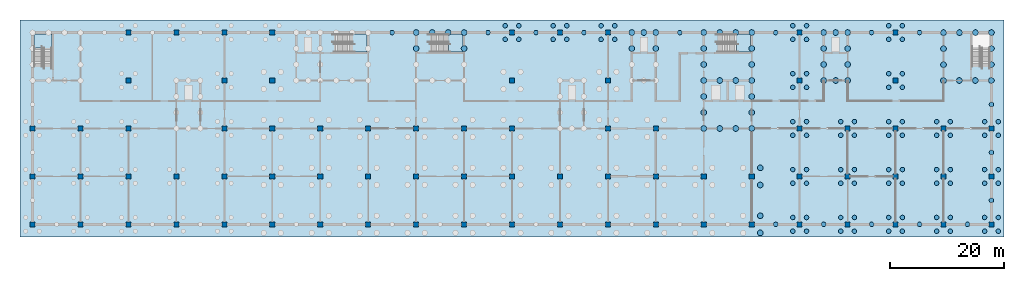
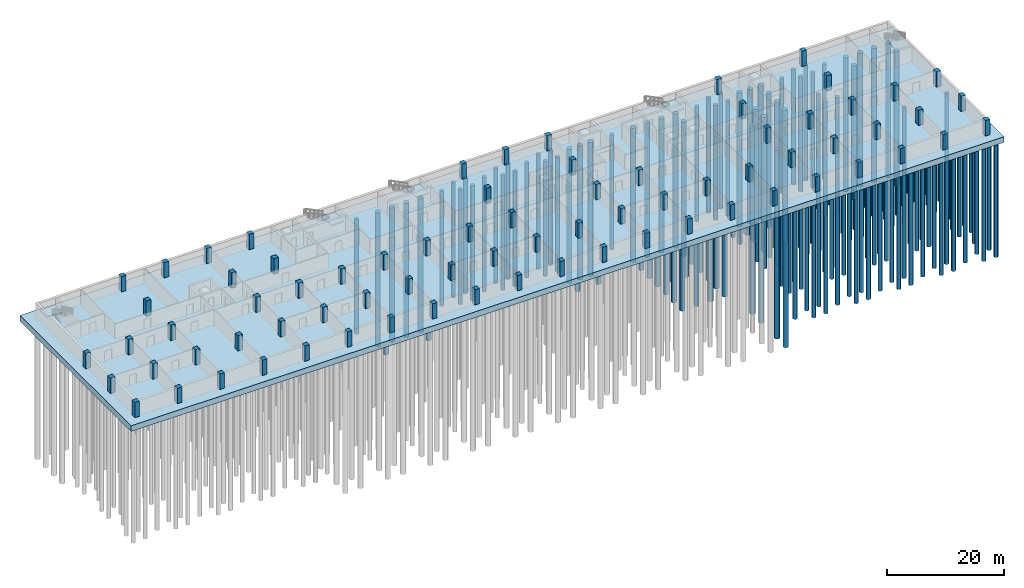
# One storey, part 2 of 11: 161 piles, 75 columns, 5 slabs, 4 elements without a shape of their own.
"""IFC4 building model written with IfcOpenShell, lengths in metres."""

from ifc_helpers import new_model, si_unit, direction, frame, origin, origin_2d, place, context, subcontext, project, spatial, polyline, rectangle, circle, outline, extrude, material, layer, layer_set, material_profile, profile_set, type_object, element, aggregate, save


model = new_model("IFC4")

# Units and contexts
model_context = context("Model", 3, precision=1e-05, world=origin(), true_north=direction((0.0, 1.0)))
body_context = subcontext(model_context, "Body", "Model", "MODEL_VIEW")
ifc_project = project(units=[si_unit("LENGTHUNIT", "METRE"), si_unit("AREAUNIT", "SQUARE_METRE"), si_unit("VOLUMEUNIT", "CUBIC_METRE"), si_unit("PLANEANGLEUNIT", "RADIAN"), si_unit("MASSUNIT", "GRAM", prefix="KILO")], contexts=[model_context])

# Site, building, storey
site_placement = place(None, origin())
site = spatial("IfcSite", under=ifc_project, at=site_placement, CompositionType="ELEMENT")
building_placement = place(site_placement, origin())
building = spatial("IfcBuilding", under=site, at=building_placement, Name="Yavir Park General Hospital", CompositionType="ELEMENT")
storey_placement = place(building_placement, frame((0.0, 0.0, -15.0)))
storey = spatial("IfcBuildingStorey", under=building, at=storey_placement, Name="B4", CompositionType="ELEMENT", Elevation=-15.0)

# Piles
ifc_material_1 = material(Name="Concrete C35/45", Category="concrete")
ifc_material_profile_1 = material_profile(ifc_material_1, circle(Radius=0.5, at=origin_2d()), Name="D1000")
ifc_profile_set_1 = profile_set([ifc_material_profile_1], Name="Concrete C35/45")
pile_type_1 = type_object("IfcPileType", Name="BORED PILE D1000", PredefinedType="BORED", material=ifc_profile_set_1)
for number, where, z_axis, x_axis, name in (
    (1, (127.5, -1.5, -1.2001953125), (0.0, 0.0, -1.0), (1.0, 0.0, 0.0), "P:B4:021"),
    (2, (127.5, 1.5, -1.2001953125), (0.0, 0.0, -1.0), (1.0, 0.0, 0.0), "P:B4:103"),
    (3, (127.5, 6.89990234375, -1.2001953125), (0.0, 0.0, -1.0), (1.0, 0.0, 0.0), "P:B4:127"),
    (4, (127.5, 9.89990234375, -1.2001953125), (0.0, 0.0, -1.0), (1.0, 0.0, 0.0), "P:B4:189"),
    (5, (117.60009765625, 16.800048828125, -1.2001953125), (0.0, 0.0, -1.0), (1.0, 0.0, 0.0), "P:B4:232"),
    (6, (120.39990234375, 16.800048828125, -1.2001953125), (0.0, 0.0, -1.0), (1.0, 0.0, 0.0), "P:B4:233"),
    (7, (123.199951171875, 16.800048828125, -1.2001953125), (0.0, 0.0, -1.0), (1.0, 0.0, 0.0), "P:B4:234"),
    (8, (126.0, 16.800048828125, -1.2001953125), (0.0, 0.0, -1.0), (1.0, 0.0, 0.0), "P:B4:235"),
    (9, (117.60009765625, 19.60009765625, -1.2001953125), (0.0, 0.0, -1.0), (1.0, 0.0, 0.0), "P:B4:274"),
    (10, (126.0, 19.60009765625, -1.2001953125), (0.0, 0.0, -1.0), (1.0, 0.0, 0.0), "P:B4:275"),
    (11, (117.60009765625, 22.39990234375, -1.2001953125), (0.0, 0.0, -1.0), (1.0, 0.0, 0.0), "P:B4:282"),
    (12, (126.0, 22.39990234375, -1.2001953125), (0.0, 0.0, -1.0), (1.0, 0.0, 0.0), "P:B4:283"),
    (13, (117.60009765625, 25.199951171875, -1.2001953125), (0.0, 0.0, -1.0), (1.0, 0.0, 0.0), "P:B4:321"),
    (14, (120.39990234375, 25.199951171875, -1.2001953125), (0.0, 0.0, -1.0), (1.0, 0.0, 0.0), "P:B4:322"),
    (15, (123.199951171875, 25.199951171875, -1.2001953125), (0.0, 0.0, -1.0), (1.0, 0.0, 0.0), "P:B4:323"),
    (16, (126.0, 25.199951171875, -1.2001953125), (0.0, 0.0, -1.0), (1.0, 0.0, 0.0), "P:B4:324"),
    (17, (138.60009765625, 25.199951171875, -1.2001953125), (0.0, 0.0, -1.0), (1.0, 0.0, 0.0), "P:B4:325"),
    (18, (140.699951171875, 25.199951171875, -1.2001953125), (0.0, 0.0, -1.0), (1.0, 0.0, 0.0), "P:B4:326"),
    (19, (142.800048828125, 25.199951171875, -1.2001953125), (0.0, 0.0, -1.0), (1.0, 0.0, 0.0), "P:B4:327"),
    (20, (159.60009765625, 25.199951171875, -1.2001953125), (0.0, 0.0, -1.0), (1.0, 0.0, 0.0), "P:B4:328"),
    (21, (162.39990234375, 25.199951171875, -1.2001953125), (0.0, 0.0, -1.0), (1.0, 0.0, 0.0), "P:B4:329"),
    (22, (165.199951171875, 25.199951171875, -1.2001953125), (0.0, 0.0, -1.0), (1.0, 0.0, 0.0), "P:B4:330"),
    (23, (168.0, 25.199951171875, -1.2001953125), (0.0, 0.0, -1.0), (1.0, 0.0, 0.0), "P:B4:331"),
    (24, (117.60009765625, 28.0, -1.2001953125), (0.0, 0.0, -1.0), (1.0, 0.0, 0.0), "P:B4:355"),
    (25, (126.0, 28.0, -1.2001953125), (0.0, 0.0, -1.0), (1.0, 0.0, 0.0), "P:B4:356"),
    (26, (138.60009765625, 28.0, -1.2001953125), (0.0, 0.0, -1.0), (1.0, 0.0, 0.0), "P:B4:357"),
    (27, (142.800048828125, 28.0, -1.2001953125), (0.0, 0.0, -1.0), (1.0, 0.0, 0.0), "P:B4:358"),
    (28, (159.60009765625, 28.0, -1.2001953125), (0.0, 0.0, -1.0), (1.0, 0.0, 0.0), "P:B4:359"),
    (29, (168.0, 28.0, -1.2001953125), (0.0, 0.0, -1.0), (1.0, 0.0, 0.0), "P:B4:360"),
    (30, (67.199951171875, 30.800048828125, -1.2001953125), (0.0, 0.0, -1.0), (1.0, 0.0, 0.0), "P:B4:366"),
    (31, (75.60009765625, 30.800048828125, -1.2001953125), (0.0, 0.0, -1.0), (1.0, 0.0, 0.0), "P:B4:367"),
    (32, (105.0, 30.800048828125, -1.2001953125), (0.0, 0.0, -1.0), (1.0, 0.0, 0.0), "P:B4:368"),
    (33, (109.199951171875, 30.800048828125, -1.2001953125), (0.0, 0.0, -1.0), (1.0, 0.0, 0.0), "P:B4:369"),
    (34, (117.60009765625, 30.800048828125, -1.2001953125), (0.0, 0.0, -1.0), (1.0, 0.0, 0.0), "P:B4:370"),
    (35, (126.0, 30.800048828125, -1.2001953125), (0.0, 0.0, -1.0), (1.0, 0.0, 0.0), "P:B4:371"),
    (36, (138.60009765625, 30.800048828125, -1.2001953125), (0.0, 0.0, -1.0), (1.0, 0.0, 0.0), "P:B4:372"),
    (37, (142.800048828125, 30.800048828125, -1.2001953125), (0.0, 0.0, -1.0), (1.0, 0.0, 0.0), "P:B4:373"),
    (38, (159.60009765625, 30.800048828125, -1.2001953125), (0.0, 0.0, -1.0), (1.0, 0.0, 0.0), "P:B4:374"),
    (39, (168.0, 30.800048828125, -1.2001953125), (0.0, 0.0, -1.0), (1.0, 0.0, 0.0), "P:B4:375"),
    (40, (67.199951171875, 33.60009765625, -1.2001953125), (0.0, 0.0, -1.0), (1.0, 0.0, 0.0), "P:B4:409"),
    (41, (70.0, 33.60009765625, -1.2001953125), (0.0, 0.0, -1.0), (1.0, 0.0, 0.0), "P:B4:410"),
    (42, (72.800048828125, 33.60009765625, -1.2001953125), (0.0, 0.0, -1.0), (1.0, 0.0, 0.0), "P:B4:411"),
    (43, (75.60009765625, 33.60009765625, -1.2001953125), (0.0, 0.0, -1.0), (1.0, 0.0, 0.0), "P:B4:412"),
    (44, (105.0, 33.60009765625, -1.2001953125), (0.0, 0.0, -1.0), (1.0, 0.0, 0.0), "P:B4:416"),
    (45, (107.10009765625, 33.60009765625, -1.2001953125), (0.0, 0.0, -1.0), (1.0, 0.0, 0.0), "P:B4:417"),
    (46, (109.199951171875, 33.60009765625, -1.2001953125), (0.0, 0.0, -1.0), (1.0, 0.0, 0.0), "P:B4:418"),
    (47, (117.60009765625, 33.60009765625, -1.2001953125), (0.0, 0.0, -1.0), (1.0, 0.0, 0.0), "P:B4:420"),
    (48, (120.39990234375, 33.60009765625, -1.2001953125), (0.0, 0.0, -1.0), (1.0, 0.0, 0.0), "P:B4:421"),
    (49, (123.199951171875, 33.60009765625, -1.2001953125), (0.0, 0.0, -1.0), (1.0, 0.0, 0.0), "P:B4:422"),
    (50, (126.0, 33.60009765625, -1.2001953125), (0.0, 0.0, -1.0), (1.0, 0.0, 0.0), "P:B4:423"),
    (51, (138.60009765625, 33.60009765625, -1.2001953125), (0.0, 0.0, -1.0), (1.0, 0.0, 0.0), "P:B4:425"),
    (52, (140.699951171875, 33.60009765625, -1.2001953125), (0.0, 0.0, -1.0), (1.0, 0.0, 0.0), "P:B4:426"),
    (53, (142.800048828125, 33.60009765625, -1.2001953125), (0.0, 0.0, -1.0), (1.0, 0.0, 0.0), "P:B4:427"),
    (54, (159.60009765625, 33.60009765625, -1.2001953125), (0.0, 0.0, -1.0), (1.0, 0.0, 0.0), "P:B4:430"),
    (55, (162.39990234375, 33.60009765625, -1.2001953125), (0.0, 0.0, -1.0), (1.0, 0.0, 0.0), "P:B4:431"),
    (56, (165.199951171875, 33.60009765625, -1.2001953125), (0.0, 0.0, -1.0), (1.0, 0.0, 0.0), "P:B4:432"),
    (57, (168.0, 33.60009765625, -1.2001953125), (0.0, 0.0, -1.0), (1.0, 0.0, 0.0), "P:B4:433"),
):
    element("IfcPile", number, at=place(storey_placement, frame(where, z_axis=z_axis, x_axis=x_axis)), inside=storey, type_object=pile_type_1, Name=name, PredefinedType="BORED", context=body_context, shape_type="SweptSolid", body=[
        extrude(circle(Radius=0.5, at=origin_2d()), origin(), (0.0, 0.0, 1.0), 28.0),
    ])
ifc_material_2 = material(Name="Concrete C35/45", Category="concrete")
ifc_material_profile_2 = material_profile(ifc_material_2, circle(Radius=0.39990234375, at=origin_2d()), Name="D800")
ifc_profile_set_2 = profile_set([ifc_material_profile_2], Name="Concrete C35/45")
pile_type_2 = type_object("IfcPileType", Name="BORED PILE D800", PredefinedType="BORED", material=ifc_profile_set_2)
for number, where, z_axis, x_axis, name in (
    (58, (133.199951171875, -1.199951171875, -1.2001953125), (0.0, 0.0, -1.0), (1.0, 0.0, 0.0), "P:B4:032"),
    (59, (135.60009765625, -1.199951171875, -1.2001953125), (0.0, 0.0, -1.0), (1.0, 0.0, 0.0), "P:B4:033"),
    (60, (141.60009765625, -1.199951171875, -1.2001953125), (0.0, 0.0, -1.0), (1.0, 0.0, 0.0), "P:B4:034"),
    (61, (144.0, -1.199951171875, -1.2001953125), (0.0, 0.0, -1.0), (1.0, 0.0, 0.0), "P:B4:035"),
    (62, (150.0, -1.199951171875, -1.2001953125), (0.0, 0.0, -1.0), (1.0, 0.0, 0.0), "P:B4:036"),
    (63, (152.39990234375, -1.199951171875, -1.2001953125), (0.0, 0.0, -1.0), (1.0, 0.0, 0.0), "P:B4:037"),
    (64, (158.39990234375, -1.199951171875, -1.2001953125), (0.0, 0.0, -1.0), (1.0, 0.0, 0.0), "P:B4:038"),
    (65, (160.800048828125, -1.199951171875, -1.2001953125), (0.0, 0.0, -1.0), (1.0, 0.0, 0.0), "P:B4:039"),
    (66, (166.800048828125, -1.199951171875, -1.2001953125), (0.0, 0.0, -1.0), (1.0, 0.0, 0.0), "P:B4:040"),
    (67, (169.199951171875, -1.199951171875, -1.2001953125), (0.0, 0.0, -1.0), (1.0, 0.0, 0.0), "P:B4:041"),
    (68, (130.199951171875, 0.0, -1.2001953125), (0.0, 0.0, -1.0), (1.0, 0.0, 0.0), "P:B4:057"),
    (69, (138.60009765625, 0.0, -1.2001953125), (0.0, 0.0, -1.0), (1.0, 0.0, 0.0), "P:B4:058"),
    (70, (147.0, 0.0, -1.2001953125), (0.0, 0.0, -1.0), (1.0, 0.0, 0.0), "P:B4:059"),
    (71, (155.39990234375, 0.0, -1.2001953125), (0.0, 0.0, -1.0), (1.0, 0.0, 0.0), "P:B4:060"),
    (72, (163.800048828125, 0.0, -1.2001953125), (0.0, 0.0, -1.0), (1.0, 0.0, 0.0), "P:B4:061"),
    (73, (133.199951171875, 1.199951171875, -1.2001953125), (0.0, 0.0, -1.0), (1.0, 0.0, 0.0), "P:B4:072"),
    (74, (135.60009765625, 1.199951171875, -1.2001953125), (0.0, 0.0, -1.0), (1.0, 0.0, 0.0), "P:B4:073"),
    (75, (141.60009765625, 1.199951171875, -1.2001953125), (0.0, 0.0, -1.0), (1.0, 0.0, 0.0), "P:B4:074"),
    (76, (144.0, 1.199951171875, -1.2001953125), (0.0, 0.0, -1.0), (1.0, 0.0, 0.0), "P:B4:075"),
    (77, (150.0, 1.199951171875, -1.2001953125), (0.0, 0.0, -1.0), (1.0, 0.0, 0.0), "P:B4:076"),
    (78, (152.39990234375, 1.199951171875, -1.2001953125), (0.0, 0.0, -1.0), (1.0, 0.0, 0.0), "P:B4:077"),
    (79, (158.39990234375, 1.199951171875, -1.2001953125), (0.0, 0.0, -1.0), (1.0, 0.0, 0.0), "P:B4:078"),
    (80, (160.800048828125, 1.199951171875, -1.2001953125), (0.0, 0.0, -1.0), (1.0, 0.0, 0.0), "P:B4:079"),
    (81, (166.800048828125, 1.199951171875, -1.2001953125), (0.0, 0.0, -1.0), (1.0, 0.0, 0.0), "P:B4:080"),
    (82, (169.199951171875, 1.199951171875, -1.2001953125), (0.0, 0.0, -1.0), (1.0, 0.0, 0.0), "P:B4:081"),
    (83, (168.0, 4.199951171875, -1.2001953125), (0.0, 0.0, -1.0), (1.0, 0.0, 0.0), "P:B4:105"),
    (84, (133.199951171875, 7.199951171875, -1.2001953125), (0.0, 0.0, -1.0), (1.0, 0.0, 0.0), "P:B4:138"),
    (85, (135.60009765625, 7.199951171875, -1.2001953125), (0.0, 0.0, -1.0), (1.0, 0.0, 0.0), "P:B4:139"),
    (86, (141.60009765625, 7.199951171875, -1.2001953125), (0.0, 0.0, -1.0), (1.0, 0.0, 0.0), "P:B4:140"),
    (87, (144.0, 7.199951171875, -1.2001953125), (0.0, 0.0, -1.0), (1.0, 0.0, 0.0), "P:B4:141"),
    (88, (150.0, 7.199951171875, -1.2001953125), (0.0, 0.0, -1.0), (1.0, 0.0, 0.0), "P:B4:142"),
    (89, (152.39990234375, 7.199951171875, -1.2001953125), (0.0, 0.0, -1.0), (1.0, 0.0, 0.0), "P:B4:143"),
    (90, (158.39990234375, 7.199951171875, -1.2001953125), (0.0, 0.0, -1.0), (1.0, 0.0, 0.0), "P:B4:144"),
    (91, (160.800048828125, 7.199951171875, -1.2001953125), (0.0, 0.0, -1.0), (1.0, 0.0, 0.0), "P:B4:145"),
    (92, (166.800048828125, 7.199951171875, -1.2001953125), (0.0, 0.0, -1.0), (1.0, 0.0, 0.0), "P:B4:146"),
    (93, (169.199951171875, 7.199951171875, -1.2001953125), (0.0, 0.0, -1.0), (1.0, 0.0, 0.0), "P:B4:147"),
    (94, (133.199951171875, 9.60009765625, -1.2001953125), (0.0, 0.0, -1.0), (1.0, 0.0, 0.0), "P:B4:158"),
    (95, (135.60009765625, 9.60009765625, -1.2001953125), (0.0, 0.0, -1.0), (1.0, 0.0, 0.0), "P:B4:159"),
    (96, (141.60009765625, 9.60009765625, -1.2001953125), (0.0, 0.0, -1.0), (1.0, 0.0, 0.0), "P:B4:160"),
    (97, (144.0, 9.60009765625, -1.2001953125), (0.0, 0.0, -1.0), (1.0, 0.0, 0.0), "P:B4:161"),
    (98, (150.0, 9.60009765625, -1.2001953125), (0.0, 0.0, -1.0), (1.0, 0.0, 0.0), "P:B4:162"),
    (99, (152.39990234375, 9.60009765625, -1.2001953125), (0.0, 0.0, -1.0), (1.0, 0.0, 0.0), "P:B4:163"),
    (100, (158.39990234375, 9.60009765625, -1.2001953125), (0.0, 0.0, -1.0), (1.0, 0.0, 0.0), "P:B4:164"),
    (101, (160.800048828125, 9.60009765625, -1.2001953125), (0.0, 0.0, -1.0), (1.0, 0.0, 0.0), "P:B4:165"),
    (102, (166.800048828125, 9.60009765625, -1.2001953125), (0.0, 0.0, -1.0), (1.0, 0.0, 0.0), "P:B4:166"),
    (103, (169.199951171875, 9.60009765625, -1.2001953125), (0.0, 0.0, -1.0), (1.0, 0.0, 0.0), "P:B4:167"),
    (104, (168.0, 12.60009765625, -1.2001953125), (0.0, 0.0, -1.0), (1.0, 0.0, 0.0), "P:B4:191"),
    (105, (133.199951171875, 15.60009765625, -1.2001953125), (0.0, 0.0, -1.0), (1.0, 0.0, 0.0), "P:B4:216"),
    (106, (135.60009765625, 15.60009765625, -1.2001953125), (0.0, 0.0, -1.0), (1.0, 0.0, 0.0), "P:B4:217"),
    (107, (141.60009765625, 15.60009765625, -1.2001953125), (0.0, 0.0, -1.0), (1.0, 0.0, 0.0), "P:B4:218"),
    (108, (144.0, 15.60009765625, -1.2001953125), (0.0, 0.0, -1.0), (1.0, 0.0, 0.0), "P:B4:219"),
    (109, (150.0, 15.60009765625, -1.2001953125), (0.0, 0.0, -1.0), (1.0, 0.0, 0.0), "P:B4:220"),
    (110, (152.39990234375, 15.60009765625, -1.2001953125), (0.0, 0.0, -1.0), (1.0, 0.0, 0.0), "P:B4:221"),
    (111, (158.39990234375, 15.60009765625, -1.2001953125), (0.0, 0.0, -1.0), (1.0, 0.0, 0.0), "P:B4:222"),
    (112, (160.800048828125, 15.60009765625, -1.2001953125), (0.0, 0.0, -1.0), (1.0, 0.0, 0.0), "P:B4:223"),
    (113, (166.800048828125, 15.60009765625, -1.2001953125), (0.0, 0.0, -1.0), (1.0, 0.0, 0.0), "P:B4:224"),
    (114, (169.199951171875, 15.60009765625, -1.2001953125), (0.0, 0.0, -1.0), (1.0, 0.0, 0.0), "P:B4:225"),
    (115, (133.199951171875, 18.0, -1.2001953125), (0.0, 0.0, -1.0), (1.0, 0.0, 0.0), "P:B4:244"),
    (116, (135.60009765625, 18.0, -1.2001953125), (0.0, 0.0, -1.0), (1.0, 0.0, 0.0), "P:B4:245"),
    (117, (141.60009765625, 18.0, -1.2001953125), (0.0, 0.0, -1.0), (1.0, 0.0, 0.0), "P:B4:246"),
    (118, (144.0, 18.0, -1.2001953125), (0.0, 0.0, -1.0), (1.0, 0.0, 0.0), "P:B4:247"),
    (119, (150.0, 18.0, -1.2001953125), (0.0, 0.0, -1.0), (1.0, 0.0, 0.0), "P:B4:248"),
    (120, (152.39990234375, 18.0, -1.2001953125), (0.0, 0.0, -1.0), (1.0, 0.0, 0.0), "P:B4:249"),
    (121, (158.39990234375, 18.0, -1.2001953125), (0.0, 0.0, -1.0), (1.0, 0.0, 0.0), "P:B4:250"),
    (122, (160.800048828125, 18.0, -1.2001953125), (0.0, 0.0, -1.0), (1.0, 0.0, 0.0), "P:B4:251"),
    (123, (166.800048828125, 18.0, -1.2001953125), (0.0, 0.0, -1.0), (1.0, 0.0, 0.0), "P:B4:252"),
    (124, (169.199951171875, 18.0, -1.2001953125), (0.0, 0.0, -1.0), (1.0, 0.0, 0.0), "P:B4:253"),
    (125, (168.0, 21.0, -1.2001953125), (0.0, 0.0, -1.0), (1.0, 0.0, 0.0), "P:B4:277"),
    (126, (133.199951171875, 24.0, -1.2001953125), (0.0, 0.0, -1.0), (1.0, 0.0, 0.0), "P:B4:294"),
    (127, (135.60009765625, 24.0, -1.2001953125), (0.0, 0.0, -1.0), (1.0, 0.0, 0.0), "P:B4:295"),
    (128, (150.0, 24.0, -1.2001953125), (0.0, 0.0, -1.0), (1.0, 0.0, 0.0), "P:B4:296"),
    (129, (152.39990234375, 24.0, -1.2001953125), (0.0, 0.0, -1.0), (1.0, 0.0, 0.0), "P:B4:297"),
    (130, (133.199951171875, 26.39990234375, -1.2001953125), (0.0, 0.0, -1.0), (1.0, 0.0, 0.0), "P:B4:336"),
    (131, (135.60009765625, 26.39990234375, -1.2001953125), (0.0, 0.0, -1.0), (1.0, 0.0, 0.0), "P:B4:337"),
    (132, (150.0, 26.39990234375, -1.2001953125), (0.0, 0.0, -1.0), (1.0, 0.0, 0.0), "P:B4:338"),
    (133, (152.39990234375, 26.39990234375, -1.2001953125), (0.0, 0.0, -1.0), (1.0, 0.0, 0.0), "P:B4:339"),
    (134, (82.800048828125, 32.39990234375, -1.2001953125), (0.0, 0.0, -1.0), (1.0, 0.0, 0.0), "P:B4:384"),
    (135, (85.199951171875, 32.39990234375, -1.2001953125), (0.0, 0.0, -1.0), (1.0, 0.0, 0.0), "P:B4:385"),
    (136, (91.199951171875, 32.39990234375, -1.2001953125), (0.0, 0.0, -1.0), (1.0, 0.0, 0.0), "P:B4:386"),
    (137, (93.60009765625, 32.39990234375, -1.2001953125), (0.0, 0.0, -1.0), (1.0, 0.0, 0.0), "P:B4:387"),
    (138, (99.60009765625, 32.39990234375, -1.2001953125), (0.0, 0.0, -1.0), (1.0, 0.0, 0.0), "P:B4:388"),
    (139, (102.0, 32.39990234375, -1.2001953125), (0.0, 0.0, -1.0), (1.0, 0.0, 0.0), "P:B4:389"),
    (140, (133.199951171875, 32.39990234375, -1.2001953125), (0.0, 0.0, -1.0), (1.0, 0.0, 0.0), "P:B4:390"),
    (141, (135.60009765625, 32.39990234375, -1.2001953125), (0.0, 0.0, -1.0), (1.0, 0.0, 0.0), "P:B4:391"),
    (142, (150.0, 32.39990234375, -1.2001953125), (0.0, 0.0, -1.0), (1.0, 0.0, 0.0), "P:B4:392"),
    (143, (152.39990234375, 32.39990234375, -1.2001953125), (0.0, 0.0, -1.0), (1.0, 0.0, 0.0), "P:B4:393"),
    (144, (63.0, 33.60009765625, -1.2001953125), (0.0, 0.0, -1.0), (1.0, 0.0, 0.0), "P:B4:408"),
    (145, (79.800048828125, 33.60009765625, -1.2001953125), (0.0, 0.0, -1.0), (1.0, 0.0, 0.0), "P:B4:413"),
    (146, (88.199951171875, 33.60009765625, -1.2001953125), (0.0, 0.0, -1.0), (1.0, 0.0, 0.0), "P:B4:414"),
    (147, (96.60009765625, 33.60009765625, -1.2001953125), (0.0, 0.0, -1.0), (1.0, 0.0, 0.0), "P:B4:415"),
    (148, (113.39990234375, 33.60009765625, -1.2001953125), (0.0, 0.0, -1.0), (1.0, 0.0, 0.0), "P:B4:419"),
    (149, (130.199951171875, 33.60009765625, -1.2001953125), (0.0, 0.0, -1.0), (1.0, 0.0, 0.0), "P:B4:424"),
    (150, (147.0, 33.60009765625, -1.2001953125), (0.0, 0.0, -1.0), (1.0, 0.0, 0.0), "P:B4:428"),
    (151, (155.39990234375, 33.60009765625, -1.2001953125), (0.0, 0.0, -1.0), (1.0, 0.0, 0.0), "P:B4:429"),
    (152, (82.800048828125, 34.800048828125, -1.2001953125), (0.0, 0.0, -1.0), (1.0, 0.0, 0.0), "P:B4:442"),
    (153, (85.199951171875, 34.800048828125, -1.2001953125), (0.0, 0.0, -1.0), (1.0, 0.0, 0.0), "P:B4:443"),
    (154, (91.199951171875, 34.800048828125, -1.2001953125), (0.0, 0.0, -1.0), (1.0, 0.0, 0.0), "P:B4:444"),
    (155, (93.60009765625, 34.800048828125, -1.2001953125), (0.0, 0.0, -1.0), (1.0, 0.0, 0.0), "P:B4:445"),
    (156, (99.60009765625, 34.800048828125, -1.2001953125), (0.0, 0.0, -1.0), (1.0, 0.0, 0.0), "P:B4:446"),
    (157, (102.0, 34.800048828125, -1.2001953125), (0.0, 0.0, -1.0), (1.0, 0.0, 0.0), "P:B4:447"),
    (158, (133.199951171875, 34.800048828125, -1.2001953125), (0.0, 0.0, -1.0), (1.0, 0.0, 0.0), "P:B4:448"),
    (159, (135.60009765625, 34.800048828125, -1.2001953125), (0.0, 0.0, -1.0), (1.0, 0.0, 0.0), "P:B4:449"),
    (160, (150.0, 34.800048828125, -1.2001953125), (0.0, 0.0, -1.0), (1.0, 0.0, 0.0), "P:B4:450"),
    (161, (152.39990234375, 34.800048828125, -1.2001953125), (0.0, 0.0, -1.0), (1.0, 0.0, 0.0), "P:B4:451"),
):
    element("IfcPile", number, at=place(storey_placement, frame(where, z_axis=z_axis, x_axis=x_axis)), inside=storey, type_object=pile_type_2, Name=name, PredefinedType="BORED", context=body_context, shape_type="SweptSolid", body=[
        extrude(circle(Radius=0.39990234375, at=origin_2d()), origin(), (0.0, 0.0, 1.0), 24.0),
    ])

# Columns
ifc_material_3 = material(Name="Concrete C40/50", Category="concrete")
ifc_material_profile_3 = material_profile(ifc_material_3, rectangle(XDim=0.89990234375, YDim=0.89990234375, at=origin_2d()), Name="RC900x900")
ifc_profile_set_3 = profile_set([ifc_material_profile_3], Name="Concrete C40/50")
column_type = type_object("IfcColumnType", Name="RC COLUMN 900x900", PredefinedType="COLUMN", material=ifc_profile_set_3)
for number, where, z_axis, x_axis, name in (
    (162, (0.0, 0.0, 0.0), (0.0, 0.0, 1.0), (1.0, 0.0, 0.0), "C:B4:1A"),
    (163, (8.39990234375, 0.0, 0.0), (0.0, 0.0, 1.0), (1.0, 0.0, 0.0), "C:B4:2A"),
    (164, (16.800048828125, 0.0, 0.0), (0.0, 0.0, 1.0), (1.0, 0.0, 0.0), "C:B4:3A"),
    (165, (25.199951171875, 0.0, 0.0), (0.0, 0.0, 1.0), (1.0, 0.0, 0.0), "C:B4:4A"),
    (166, (33.60009765625, 0.0, 0.0), (0.0, 0.0, 1.0), (1.0, 0.0, 0.0), "C:B4:5A"),
    (167, (42.0, 0.0, 0.0), (0.0, 0.0, 1.0), (1.0, 0.0, 0.0), "C:B4:6A"),
    (168, (50.39990234375, 0.0, 0.0), (0.0, 0.0, 1.0), (1.0, 0.0, 0.0), "C:B4:7A"),
    (169, (58.800048828125, 0.0, 0.0), (0.0, 0.0, 1.0), (1.0, 0.0, 0.0), "C:B4:8A"),
    (170, (67.199951171875, 0.0, 0.0), (0.0, 0.0, 1.0), (1.0, 0.0, 0.0), "C:B4:9A"),
    (171, (75.60009765625, 0.0, 0.0), (0.0, 0.0, 1.0), (1.0, 0.0, 0.0), "C:B4:10A"),
    (172, (84.0, 0.0, 0.0), (0.0, 0.0, 1.0), (1.0, 0.0, 0.0), "C:B4:11A"),
    (173, (92.39990234375, 0.0, 0.0), (0.0, 0.0, 1.0), (1.0, 0.0, 0.0), "C:B4:12A"),
    (174, (100.800048828125, 0.0, 0.0), (0.0, 0.0, 1.0), (1.0, 0.0, 0.0), "C:B4:13A"),
    (175, (109.199951171875, 0.0, 0.0), (0.0, 0.0, 1.0), (1.0, 0.0, 0.0), "C:B4:14A"),
    (176, (117.60009765625, 0.0, 0.0), (0.0, 0.0, 1.0), (1.0, 0.0, 0.0), "C:B4:15A"),
    (177, (126.0, 0.0, 0.0), (0.0, 0.0, 1.0), (1.0, 0.0, 0.0), "C:B4:16A"),
    (178, (134.39990234375, 0.0, 0.0), (0.0, 0.0, 1.0), (1.0, 0.0, 0.0), "C:B4:17A"),
    (179, (142.800048828125, 0.0, 0.0), (0.0, 0.0, 1.0), (1.0, 0.0, 0.0), "C:B4:18A"),
    (180, (151.199951171875, 0.0, 0.0), (0.0, 0.0, 1.0), (1.0, 0.0, 0.0), "C:B4:19A"),
    (181, (159.60009765625, 0.0, 0.0), (0.0, 0.0, 1.0), (1.0, 0.0, 0.0), "C:B4:20A"),
    (182, (168.0, 0.0, 0.0), (0.0, 0.0, 1.0), (1.0, 0.0, 0.0), "C:B4:21A"),
    (183, (0.0, 8.39990234375, 0.0), (0.0, 0.0, 1.0), (1.0, 0.0, 0.0), "C:B4:1B"),
    (184, (8.39990234375, 8.39990234375, 0.0), (0.0, 0.0, 1.0), (1.0, 0.0, 0.0), "C:B4:2B"),
    (185, (16.800048828125, 8.39990234375, 0.0), (0.0, 0.0, 1.0), (1.0, 0.0, 0.0), "C:B4:3B"),
    (186, (25.199951171875, 8.39990234375, 0.0), (0.0, 0.0, 1.0), (1.0, 0.0, 0.0), "C:B4:4B"),
    (187, (33.60009765625, 8.39990234375, 0.0), (0.0, 0.0, 1.0), (1.0, 0.0, 0.0), "C:B4:5B"),
    (188, (42.0, 8.39990234375, 0.0), (0.0, 0.0, 1.0), (1.0, 0.0, 0.0), "C:B4:6B"),
    (189, (50.39990234375, 8.39990234375, 0.0), (0.0, 0.0, 1.0), (1.0, 0.0, 0.0), "C:B4:7B"),
    (190, (58.800048828125, 8.39990234375, 0.0), (0.0, 0.0, 1.0), (1.0, 0.0, 0.0), "C:B4:8B"),
    (191, (67.199951171875, 8.39990234375, 0.0), (0.0, 0.0, 1.0), (1.0, 0.0, 0.0), "C:B4:9B"),
    (192, (75.60009765625, 8.39990234375, 0.0), (0.0, 0.0, 1.0), (1.0, 0.0, 0.0), "C:B4:10B"),
    (193, (84.0, 8.39990234375, 0.0), (0.0, 0.0, 1.0), (1.0, 0.0, 0.0), "C:B4:11B"),
    (194, (92.39990234375, 8.39990234375, 0.0), (0.0, 0.0, 1.0), (1.0, 0.0, 0.0), "C:B4:12B"),
    (195, (100.800048828125, 8.39990234375, 0.0), (0.0, 0.0, 1.0), (1.0, 0.0, 0.0), "C:B4:13B"),
    (196, (109.199951171875, 8.39990234375, 0.0), (0.0, 0.0, 1.0), (1.0, 0.0, 0.0), "C:B4:14B"),
    (197, (117.60009765625, 8.39990234375, 0.0), (0.0, 0.0, 1.0), (1.0, 0.0, 0.0), "C:B4:15B"),
    (198, (126.0, 8.39990234375, 0.0), (0.0, 0.0, 1.0), (1.0, 0.0, 0.0), "C:B4:16B"),
    (199, (134.39990234375, 8.39990234375, 0.0), (0.0, 0.0, 1.0), (1.0, 0.0, 0.0), "C:B4:17B"),
    (200, (142.800048828125, 8.39990234375, 0.0), (0.0, 0.0, 1.0), (1.0, 0.0, 0.0), "C:B4:18B"),
    (201, (151.199951171875, 8.39990234375, 0.0), (0.0, 0.0, 1.0), (1.0, 0.0, 0.0), "C:B4:19B"),
    (202, (159.60009765625, 8.39990234375, 0.0), (0.0, 0.0, 1.0), (1.0, 0.0, 0.0), "C:B4:20B"),
    (203, (168.0, 8.39990234375, 0.0), (0.0, 0.0, 1.0), (1.0, 0.0, 0.0), "C:B4:21B"),
    (204, (0.0, 16.800048828125, 0.0), (0.0, 0.0, 1.0), (1.0, 0.0, 0.0), "C:B4:1C"),
    (205, (8.39990234375, 16.800048828125, 0.0), (0.0, 0.0, 1.0), (1.0, 0.0, 0.0), "C:B4:2C"),
    (206, (16.800048828125, 16.800048828125, 0.0), (0.0, 0.0, 1.0), (1.0, 0.0, 0.0), "C:B4:3C"),
    (207, (33.60009765625, 16.800048828125, 0.0), (0.0, 0.0, 1.0), (1.0, 0.0, 0.0), "C:B4:5C"),
    (208, (42.0, 16.800048828125, 0.0), (0.0, 0.0, 1.0), (1.0, 0.0, 0.0), "C:B4:6C"),
    (209, (50.39990234375, 16.800048828125, 0.0), (0.0, 0.0, 1.0), (1.0, 0.0, 0.0), "C:B4:7C"),
    (210, (58.800048828125, 16.800048828125, 0.0), (0.0, 0.0, 1.0), (1.0, 0.0, 0.0), "C:B4:8C"),
    (211, (67.199951171875, 16.800048828125, 0.0), (0.0, 0.0, 1.0), (1.0, 0.0, 0.0), "C:B4:9C"),
    (212, (75.60009765625, 16.800048828125, 0.0), (0.0, 0.0, 1.0), (1.0, 0.0, 0.0), "C:B4:10C"),
    (213, (84.0, 16.800048828125, 0.0), (0.0, 0.0, 1.0), (1.0, 0.0, 0.0), "C:B4:11C"),
    (214, (100.800048828125, 16.800048828125, 0.0), (0.0, 0.0, 1.0), (1.0, 0.0, 0.0), "C:B4:13C"),
    (215, (109.199951171875, 16.800048828125, 0.0), (0.0, 0.0, 1.0), (1.0, 0.0, 0.0), "C:B4:14C"),
    (216, (134.39990234375, 16.800048828125, 0.0), (0.0, 0.0, 1.0), (1.0, 0.0, 0.0), "C:B4:17C"),
    (217, (142.800048828125, 16.800048828125, 0.0), (0.0, 0.0, 1.0), (1.0, 0.0, 0.0), "C:B4:18C"),
    (218, (151.199951171875, 16.800048828125, 0.0), (0.0, 0.0, 1.0), (1.0, 0.0, 0.0), "C:B4:19C"),
    (219, (159.60009765625, 16.800048828125, 0.0), (0.0, 0.0, 1.0), (1.0, 0.0, 0.0), "C:B4:20C"),
    (220, (168.0, 16.800048828125, 0.0), (0.0, 0.0, 1.0), (1.0, 0.0, 0.0), "C:B4:21C"),
    (221, (16.800048828125, 25.199951171875, 0.0), (0.0, 0.0, 1.0), (1.0, 0.0, 0.0), "C:B4:3D"),
    (222, (33.60009765625, 25.199951171875, 0.0), (0.0, 0.0, 1.0), (1.0, 0.0, 0.0), "C:B4:5D"),
    (223, (42.0, 25.199951171875, 0.0), (0.0, 0.0, 1.0), (1.0, 0.0, 0.0), "C:B4:6D"),
    (224, (84.0, 25.199951171875, 0.0), (0.0, 0.0, 1.0), (1.0, 0.0, 0.0), "C:B4:11D"),
    (225, (100.800048828125, 25.199951171875, 0.0), (0.0, 0.0, 1.0), (1.0, 0.0, 0.0), "C:B4:13D"),
    (226, (134.39990234375, 25.199951171875, 0.0), (0.0, 0.0, 1.0), (1.0, 0.0, 0.0), "C:B4:17D"),
    (227, (151.199951171875, 25.199951171875, 0.0), (0.0, 0.0, 1.0), (1.0, 0.0, 0.0), "C:B4:19D"),
    (228, (16.800048828125, 33.60009765625, 0.0), (0.0, 0.0, 1.0), (1.0, 0.0, 0.0), "C:B4:3E"),
    (229, (25.199951171875, 33.60009765625, 0.0), (0.0, 0.0, 1.0), (1.0, 0.0, 0.0), "C:B4:4E"),
    (230, (33.60009765625, 33.60009765625, 0.0), (0.0, 0.0, 1.0), (1.0, 0.0, 0.0), "C:B4:5E"),
    (231, (42.0, 33.60009765625, 0.0), (0.0, 0.0, 1.0), (1.0, 0.0, 0.0), "C:B4:6E"),
    (232, (84.0, 33.60009765625, 0.0), (0.0, 0.0, 1.0), (1.0, 0.0, 0.0), "C:B4:11E"),
    (233, (92.39990234375, 33.60009765625, 0.0), (0.0, 0.0, 1.0), (1.0, 0.0, 0.0), "C:B4:12E"),
    (234, (100.800048828125, 33.60009765625, 0.0), (0.0, 0.0, 1.0), (1.0, 0.0, 0.0), "C:B4:13E"),
    (235, (134.39990234375, 33.60009765625, 0.0), (0.0, 0.0, 1.0), (1.0, 0.0, 0.0), "C:B4:17E"),
    (236, (151.199951171875, 33.60009765625, 0.0), (0.0, 0.0, 1.0), (1.0, 0.0, 0.0), "C:B4:19E"),
):
    element("IfcColumn", number, at=place(storey_placement, frame(where, z_axis=z_axis, x_axis=x_axis)), inside=storey, type_object=column_type, Name=name, PredefinedType="COLUMN", context=body_context, shape_type="SweptSolid", body=[
        extrude(rectangle(XDim=0.89990234375, YDim=0.89990234375, at=origin_2d()), origin(), (0.0, 0.0, 1.0), 3.199951171875),
    ])

# Stair, slab
ifc_material_4 = material(Name="Concrete C30/37", Category="concrete")
stair_type = type_object("IfcStairType", Name="Patient escape stair, 24 risers of 150 mm, 1400 mm flights", PredefinedType="HALF_TURN_STAIR", material=ifc_material_4)
stair_1_placement = place(storey_placement, origin())
stair_1 = element("IfcStair", 237, at=stair_1_placement, inside=storey, type_object=stair_type, Name="Stair BS1, B4 to B3", PredefinedType="HALF_TURN_STAIR")
ifc_material_5 = material(Name="Concrete C30/37", Category="concrete")
ifc_layer_1 = layer(ifc_material_5, 0.159912109375)
ifc_layer_set_1 = layer_set([ifc_layer_1], Name="Concrete C30/37")
slab_type_1 = type_object("IfcSlabType", Name="Patient escape stair half landing, reinforced concrete 160 mm", PredefinedType="LANDING", material=ifc_layer_set_1)
slab_1_placement = place(storey_placement, frame((0.0, 0.0, 1.639892578125)))
slab_1 = element("IfcSlab", 238, at=slab_1_placement, type_object=slab_type_1, Name="BS1 landing 1", PredefinedType="LANDING", context=body_context, shape_type="SweptSolid", body=[
    extrude(outline(polyline([(0.25, 30.8984375), (0.25, 33.35009765625), (3.39990234375, 33.35009765625), (3.39990234375, 30.75), (1.949951171875, 30.75), (1.949951171875, 30.8984375), (0.25, 30.8984375)])), origin(), (0.0, 0.0, 1.0), 0.16015625),
])
aggregate(stair_1, [slab_1])

stair_2_placement = place(storey_placement, origin())
stair_2 = element("IfcStair", 239, at=stair_2_placement, inside=storey, type_object=stair_type, Name="Stair BS2, B4 to B3", PredefinedType="HALF_TURN_STAIR")
slab_2_placement = place(storey_placement, frame((0.0, 0.0, 1.639892578125)))
slab_2 = element("IfcSlab", 240, at=slab_2_placement, type_object=slab_type_1, Name="BS2 landing 1", PredefinedType="LANDING", context=body_context, shape_type="SweptSolid", body=[
    extrude(outline(polyline([(56.098388671875, 30.199951171875), (58.60009765625, 30.199951171875), (58.60009765625, 33.35009765625), (55.949951171875, 33.35009765625), (55.949951171875, 31.89990234375), (56.098388671875, 31.89990234375), (56.098388671875, 30.199951171875)])), origin(), (0.0, 0.0, 1.0), 0.16015625),
])
aggregate(stair_2, [slab_2])

stair_3_placement = place(storey_placement, origin())
stair_3 = element("IfcStair", 241, at=stair_3_placement, inside=storey, type_object=stair_type, Name="Stair BS3, B4 to B3", PredefinedType="HALF_TURN_STAIR")
slab_3_placement = place(storey_placement, frame((0.0, 0.0, 1.639892578125)))
slab_3 = element("IfcSlab", 242, at=slab_3_placement, type_object=slab_type_1, Name="BS3 landing 1", PredefinedType="LANDING", context=body_context, shape_type="SweptSolid", body=[
    extrude(outline(polyline([(72.8984375, 30.199951171875), (75.39990234375, 30.199951171875), (75.39990234375, 33.35009765625), (72.75, 33.35009765625), (72.75, 31.89990234375), (72.8984375, 31.89990234375), (72.8984375, 30.199951171875)])), origin(), (0.0, 0.0, 1.0), 0.16015625),
])
aggregate(stair_3, [slab_3])

stair_4_placement = place(storey_placement, origin())
stair_4 = element("IfcStair", 243, at=stair_4_placement, inside=storey, type_object=stair_type, Name="Stair BS4, B4 to B3", PredefinedType="HALF_TURN_STAIR")
slab_4_placement = place(storey_placement, frame((0.0, 0.0, 1.639892578125)))
slab_4 = element("IfcSlab", 244, at=slab_4_placement, type_object=slab_type_1, Name="BS4 landing 1", PredefinedType="LANDING", context=body_context, shape_type="SweptSolid", body=[
    extrude(outline(polyline([(123.298583984375, 30.199951171875), (125.800048828125, 30.199951171875), (125.800048828125, 33.35009765625), (123.14990234375, 33.35009765625), (123.14990234375, 31.89990234375), (123.298583984375, 31.89990234375), (123.298583984375, 30.199951171875)])), origin(), (0.0, 0.0, 1.0), 0.16015625),
])
aggregate(stair_4, [slab_4])

# Slab
ifc_material_6 = material(Name="Concrete C35/45", Category="concrete")
ifc_layer_2 = layer(ifc_material_6, 1.199951171875)
ifc_layer_set_2 = layer_set([ifc_layer_2], Name="Concrete C35/45")
slab_type_2 = type_object("IfcSlabType", Name="RC SLAB BASESLAB 1200", PredefinedType="BASESLAB", material=ifc_layer_set_2)
slab_5_placement = place(storey_placement, frame((0.0, 0.0, -1.2001953125)))
element("IfcSlab", 245, at=slab_5_placement, inside=storey, type_object=slab_type_2, Name="S:B4:0", PredefinedType="BASESLAB", context=body_context, shape_type="SweptSolid", body=[
    extrude(outline(polyline([(170.199951171875, -2.199951171875), (170.199951171875, 35.800048828125), (-2.199951171875, 35.800048828125), (-2.199951171875, -2.199951171875), (170.199951171875, -2.199951171875)])), origin(), (0.0, 0.0, 1.0), 1.2001953125),
])

save(model, "model.ifc")
